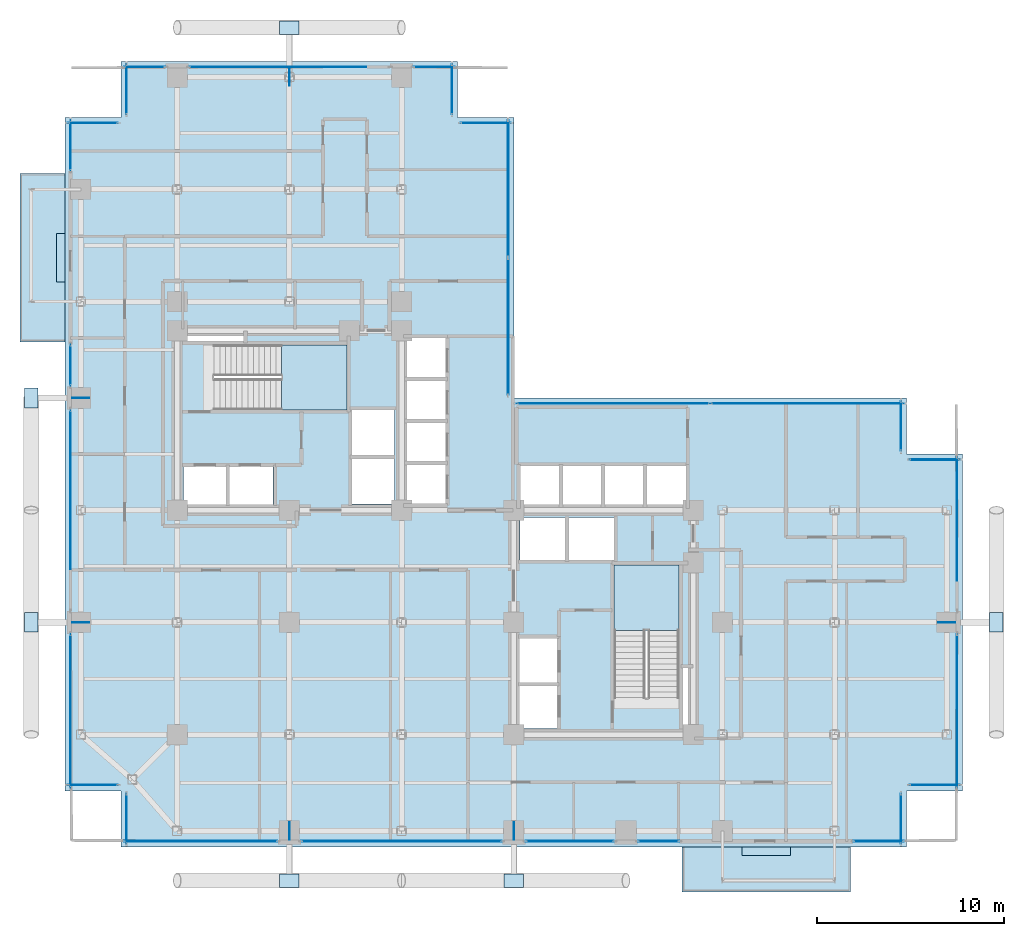
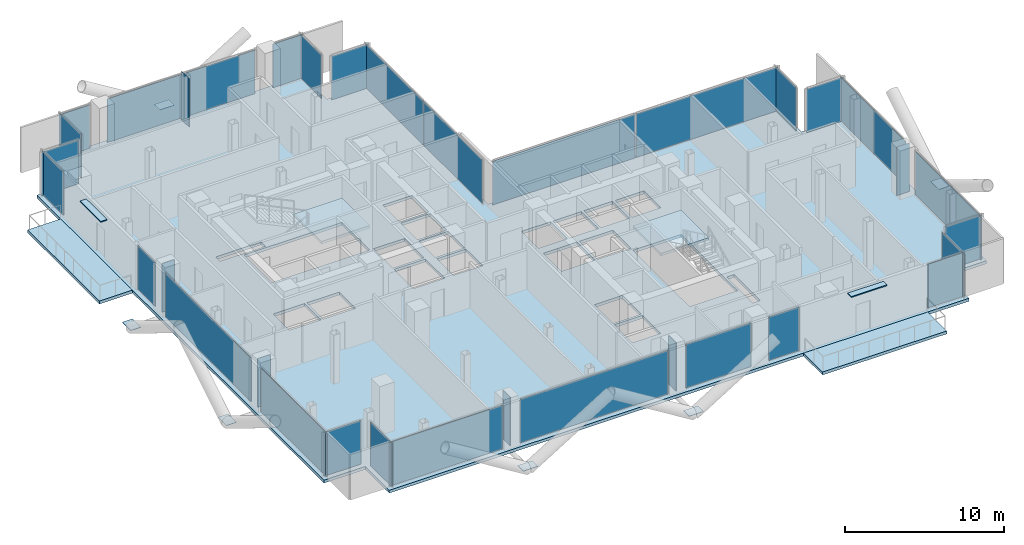
# One storey, part 18 of 28: 42 plates, 5 slabs, 28 elements without a shape of their own.
"""IFC4 building model written with IfcOpenShell, lengths in metres."""

from ifc_helpers import new_model, si_unit, direction, frame, origin, origin_2d, place, context, subcontext, project, spatial, polyline, rectangle, outline, extrude, material, layer, layer_set, type_object, element, aggregate, save


model = new_model("IFC4")

# Units and contexts
model_context = context("Model", 3, precision=1e-05, world=origin(), true_north=direction((0.0, 1.0)))
body_context = subcontext(model_context, "Body", "Model", "MODEL_VIEW")
ifc_project = project(units=[si_unit("LENGTHUNIT", "METRE"), si_unit("AREAUNIT", "SQUARE_METRE"), si_unit("VOLUMEUNIT", "CUBIC_METRE"), si_unit("PLANEANGLEUNIT", "RADIAN"), si_unit("MASSUNIT", "GRAM", prefix="KILO"), si_unit("THERMODYNAMICTEMPERATUREUNIT", "KELVIN"), si_unit("POWERUNIT", "WATT")], contexts=[model_context])

# Site, building, storey
site_placement = place(None, origin())
site = spatial("IfcSite", under=ifc_project, at=site_placement, CompositionType="ELEMENT")
building_placement = place(site_placement, origin())
building = spatial("IfcBuilding", under=site, at=building_placement, Name="Svarakhadi Broadcast Tower", CompositionType="ELEMENT")
storey_placement = place(building_placement, frame((0.0, 0.0, 107.10009765625)))
storey = spatial("IfcBuildingStorey", under=building, at=storey_placement, Name="L25", CompositionType="ELEMENT", Elevation=107.10009765625)

# Curtain wall, plate
ifc_material_1 = material(Name="Anodised Bronze Aluminium AA 6063-T6", Category="aluminium")
ifc_layer_1 = layer(ifc_material_1, 0.199951171875)
ifc_layer_set_1 = layer_set([ifc_layer_1], Name="Anodised Bronze Aluminium AA 6063-T6")
curtain_wall_type = type_object("IfcCurtainWallType", Name="CW_Sys_03", PredefinedType="NOTDEFINED", material=ifc_layer_set_1)
curtain_wall_1_placement = place(storey_placement, origin())
curtain_wall_1 = element("IfcCurtainWall", 1, at=curtain_wall_1_placement, inside=storey, type_object=curtain_wall_type, Name="L25 Unitised Facade Curtain Wall 01", PredefinedType="NOTDEFINED")
ifc_material_2 = material(Name="Double Low-E Laminated Acoustic Glass IGU 36 mm", Category="glass")
ifc_layer_2 = layer(ifc_material_2, 0.035888671875)
ifc_layer_set_2 = layer_set([ifc_layer_2], Name="Double Low-E Laminated Acoustic Glass IGU 36 mm")
plate_type_1 = type_object("IfcPlateType", Name="CW_Sys_03_Pnl", PredefinedType="CURTAIN_PANEL", material=ifc_layer_set_2)
plate_1_placement = place(storey_placement, frame((1.5, 3.300048828125, 0.06982421875), z_axis=(0.0, 0.0, 1.0), x_axis=(-1.0, 0.0, 0.0)))
plate_1 = element("IfcPlate", 2, at=plate_1_placement, type_object=plate_type_1, Name="CW-03 panel 1.1", PredefinedType="CURTAIN_PANEL", context=body_context, shape_type="SweptSolid", body=[
    extrude(rectangle(XDim=2.669921875, YDim=0.035888671875, at=origin_2d()), origin(), (0.0, 0.0, 1.0), 3.3349609375),
])
aggregate(curtain_wall_1, [plate_1])

curtain_wall_2_placement = place(storey_placement, origin())
curtain_wall_2 = element("IfcCurtainWall", 3, at=curtain_wall_2_placement, inside=storey, type_object=curtain_wall_type, Name="L25 West Curtain Wall 02 Bay 1", PredefinedType="NOTDEFINED")
plate_2_placement = place(storey_placement, frame((0.300048828125, 7.260009765625, 0.06982421875), z_axis=(0.0, 0.0, 1.0), x_axis=(0.0, 1.0, 0.0)))
plate_2 = element("IfcPlate", 4, at=plate_2_placement, type_object=plate_type_1, Name="CW-03 panel 1.1", PredefinedType="CURTAIN_PANEL", context=body_context, shape_type="SweptSolid", body=[
    extrude(rectangle(XDim=8.18994140625, YDim=0.035888671875, at=origin_2d()), origin(), (0.0, 0.0, 1.0), 3.3349609375),
])
aggregate(curtain_wall_2, [plate_2])

curtain_wall_3_placement = place(storey_placement, origin())
curtain_wall_3 = element("IfcCurtainWall", 5, at=curtain_wall_3_placement, inside=storey, type_object=curtain_wall_type, Name="L25 West Curtain Wall 02 Bay 2", PredefinedType="NOTDEFINED")
plate_3_placement = place(storey_placement, frame((0.300048828125, 18.0, 0.06982421875), z_axis=(0.0, 0.0, 1.0), x_axis=(0.0, 1.0, 0.0)))
plate_3 = element("IfcPlate", 6, at=plate_3_placement, type_object=plate_type_1, Name="CW-03 panel 1.1", PredefinedType="CURTAIN_PANEL", context=body_context, shape_type="SweptSolid", body=[
    extrude(rectangle(XDim=10.7099609375, YDim=0.035888671875, at=origin_2d()), origin(), (0.0, 0.0, 1.0), 3.3349609375),
])
aggregate(curtain_wall_3, [plate_3])

curtain_wall_4_placement = place(storey_placement, origin())
curtain_wall_4 = element("IfcCurtainWall", 7, at=curtain_wall_4_placement, inside=storey, type_object=curtain_wall_type, Name="L25 West Curtain Wall 02 Bay 3", PredefinedType="NOTDEFINED")
plate_4_placement = place(storey_placement, frame((0.300048828125, 25.739990234375, 0.06982421875), z_axis=(0.0, 0.0, 1.0), x_axis=(0.0, 1.0, 0.0)))
plate_4 = element("IfcPlate", 8, at=plate_4_placement, type_object=plate_type_1, Name="CW-03 panel 1.1", PredefinedType="CURTAIN_PANEL", context=body_context, shape_type="SweptSolid", body=[
    extrude(rectangle(XDim=2.18994140625, YDim=0.035888671875, at=origin_2d()), origin(), (0.0, 0.0, 1.0), 3.3349609375),
])
aggregate(curtain_wall_4, [plate_4])

curtain_wall_5_placement = place(storey_placement, origin())
curtain_wall_5 = element("IfcCurtainWall", 9, at=curtain_wall_5_placement, inside=storey, type_object=curtain_wall_type, Name="L25 West Curtain Wall 03", PredefinedType="NOTDEFINED")
plate_5_placement = place(storey_placement, frame((0.300048828125, 37.5, 0.06982421875), z_axis=(0.0, 0.0, 1.0), x_axis=(0.0, 1.0, 0.0)))
plate_5 = element("IfcPlate", 10, at=plate_5_placement, type_object=plate_type_1, Name="CW-03 panel 1.1", PredefinedType="CURTAIN_PANEL", context=body_context, shape_type="SweptSolid", body=[
    extrude(rectangle(XDim=2.669921875, YDim=0.035888671875, at=origin_2d()), origin(), (0.0, 0.0, 1.0), 3.3349609375),
])
aggregate(curtain_wall_5, [plate_5])

curtain_wall_6_placement = place(storey_placement, origin())
curtain_wall_6 = element("IfcCurtainWall", 11, at=curtain_wall_6_placement, inside=storey, type_object=curtain_wall_type, Name="L25 Unitised Facade Curtain Wall 04", PredefinedType="NOTDEFINED")
plate_6_placement = place(storey_placement, frame((1.5, 38.699951171875, 0.06982421875), z_axis=(0.0, 0.0, 1.0), x_axis=(1.0, 0.0, 0.0)))
plate_6 = element("IfcPlate", 12, at=plate_6_placement, type_object=plate_type_1, Name="CW-03 panel 1.1", PredefinedType="CURTAIN_PANEL", context=body_context, shape_type="SweptSolid", body=[
    extrude(rectangle(XDim=2.669921875, YDim=0.035888671875, at=origin_2d()), origin(), (0.0, 0.0, 1.0), 3.3349609375),
])
aggregate(curtain_wall_6, [plate_6])

curtain_wall_7_placement = place(storey_placement, origin())
curtain_wall_7 = element("IfcCurtainWall", 13, at=curtain_wall_7_placement, inside=storey, type_object=curtain_wall_type, Name="L25 Unitised Facade Curtain Wall 05", PredefinedType="NOTDEFINED")
plate_7_placement = place(storey_placement, frame((3.300048828125, 40.5, 0.06982421875), z_axis=(0.0, 0.0, 1.0), x_axis=(0.0, 1.0, 0.0)))
plate_7 = element("IfcPlate", 14, at=plate_7_placement, type_object=plate_type_1, Name="CW-03 panel 1.1", PredefinedType="CURTAIN_PANEL", context=body_context, shape_type="SweptSolid", body=[
    extrude(rectangle(XDim=2.669921875, YDim=0.035888671875, at=origin_2d()), origin(), (0.0, 0.0, 1.0), 3.3349609375),
])
aggregate(curtain_wall_7, [plate_7])

curtain_wall_8_placement = place(storey_placement, origin())
curtain_wall_8 = element("IfcCurtainWall", 15, at=curtain_wall_8_placement, inside=storey, type_object=curtain_wall_type, Name="L25 Unitised Facade Curtain Wall 06 Bay 1", PredefinedType="NOTDEFINED")
plate_8_placement = place(storey_placement, frame((4.260009765625, 41.699951171875, 0.06982421875), z_axis=(0.0, 0.0, 1.0), x_axis=(1.0, 0.0, 0.0)))
plate_8 = element("IfcPlate", 16, at=plate_8_placement, type_object=plate_type_1, Name="CW-03 panel 1.1", PredefinedType="CURTAIN_PANEL", context=body_context, shape_type="SweptSolid", body=[
    extrude(rectangle(XDim=2.18994140625, YDim=0.035888671875, at=origin_2d()), origin(), (0.0, 0.0, 1.0), 3.3349609375),
])
aggregate(curtain_wall_8, [plate_8])

curtain_wall_9_placement = place(storey_placement, origin())
curtain_wall_9 = element("IfcCurtainWall", 17, at=curtain_wall_9_placement, inside=storey, type_object=curtain_wall_type, Name="L25 Unitised Facade Curtain Wall 06 Bay 2", PredefinedType="NOTDEFINED")
plate_9_placement = place(storey_placement, frame((12.0, 41.699951171875, 0.06982421875), z_axis=(0.0, 0.0, 1.0), x_axis=(1.0, 0.0, 0.0)))
plate_9 = element("IfcPlate", 18, at=plate_9_placement, type_object=plate_type_1, Name="CW-03 panel 1.1", PredefinedType="CURTAIN_PANEL", context=body_context, shape_type="SweptSolid", body=[
    extrude(rectangle(XDim=10.7099609375, YDim=0.035888671875, at=origin_2d()), origin(), (0.0, 0.0, 1.0), 3.3349609375),
])
aggregate(curtain_wall_9, [plate_9])

curtain_wall_10_placement = place(storey_placement, origin())
curtain_wall_10 = element("IfcCurtainWall", 19, at=curtain_wall_10_placement, inside=storey, type_object=curtain_wall_type, Name="L25 Unitised Facade Curtain Wall 06 Bay 3", PredefinedType="NOTDEFINED")
plate_10_placement = place(storey_placement, frame((19.739990234375, 41.699951171875, 0.06982421875), z_axis=(0.0, 0.0, 1.0), x_axis=(1.0, 0.0, 0.0)))
plate_10 = element("IfcPlate", 20, at=plate_10_placement, type_object=plate_type_1, Name="CW-03 panel 1.1", PredefinedType="CURTAIN_PANEL", context=body_context, shape_type="SweptSolid", body=[
    extrude(rectangle(XDim=2.18994140625, YDim=0.035888671875, at=origin_2d()), origin(), (0.0, 0.0, 1.0), 3.3349609375),
])
aggregate(curtain_wall_10, [plate_10])

curtain_wall_11_placement = place(storey_placement, origin())
curtain_wall_11 = element("IfcCurtainWall", 21, at=curtain_wall_11_placement, inside=storey, type_object=curtain_wall_type, Name="L25 Unitised Facade Curtain Wall 07", PredefinedType="NOTDEFINED")
plate_11_placement = place(storey_placement, frame((20.699951171875, 40.5, 0.06982421875), z_axis=(0.0, 0.0, 1.0), x_axis=(0.0, -1.0, 0.0)))
plate_11 = element("IfcPlate", 22, at=plate_11_placement, type_object=plate_type_1, Name="CW-03 panel 1.1", PredefinedType="CURTAIN_PANEL", context=body_context, shape_type="SweptSolid", body=[
    extrude(rectangle(XDim=2.669921875, YDim=0.035888671875, at=origin_2d()), origin(), (0.0, 0.0, 1.0), 3.3349609375),
])
aggregate(curtain_wall_11, [plate_11])

curtain_wall_12_placement = place(storey_placement, origin())
curtain_wall_12 = element("IfcCurtainWall", 23, at=curtain_wall_12_placement, inside=storey, type_object=curtain_wall_type, Name="L25 Unitised Facade Curtain Wall 08", PredefinedType="NOTDEFINED")
plate_12_placement = place(storey_placement, frame((22.5, 38.699951171875, 0.06982421875), z_axis=(0.0, 0.0, 1.0), x_axis=(1.0, 0.0, 0.0)))
plate_12 = element("IfcPlate", 24, at=plate_12_placement, type_object=plate_type_1, Name="CW-03 panel 1.1", PredefinedType="CURTAIN_PANEL", context=body_context, shape_type="SweptSolid", body=[
    extrude(rectangle(XDim=2.669921875, YDim=0.035888671875, at=origin_2d()), origin(), (0.0, 0.0, 1.0), 3.3349609375),
])
aggregate(curtain_wall_12, [plate_12])

# Curtain wall, plates
curtain_wall_13_placement = place(storey_placement, origin())
curtain_wall_13 = element("IfcCurtainWall", 25, at=curtain_wall_13_placement, inside=storey, type_object=curtain_wall_type, Name="L25 Unitised Facade Curtain Wall 09", PredefinedType="NOTDEFINED")
plate_13_placement = place(storey_placement, frame((23.699951171875, 35.186279296875, 0.06982421875), z_axis=(0.0, 0.0, 1.0), x_axis=(0.0, -1.0, 0.0)))
plate_13 = element("IfcPlate", 26, at=plate_13_placement, type_object=plate_type_1, Name="CW-03 panel 1.1", PredefinedType="CURTAIN_PANEL", context=body_context, shape_type="SweptSolid", body=[
    extrude(rectangle(XDim=7.297607421875, YDim=0.035888671875, at=origin_2d()), origin(), (0.0, 0.0, 1.0), 3.3349609375),
])
plate_14_placement = place(storey_placement, frame((23.699951171875, 27.813720703125, 0.06982421875), z_axis=(0.0, 0.0, 1.0), x_axis=(0.0, -1.0, 0.0)))
plate_14 = element("IfcPlate", 27, at=plate_14_placement, type_object=plate_type_1, Name="CW-03 panel 2.1", PredefinedType="CURTAIN_PANEL", context=body_context, shape_type="SweptSolid", body=[
    extrude(rectangle(XDim=7.297607421875, YDim=0.035888671875, at=origin_2d()), origin(), (0.0, 0.0, 1.0), 3.3349609375),
])
aggregate(curtain_wall_13, [plate_13, plate_14])

curtain_wall_14_placement = place(storey_placement, origin())
curtain_wall_14 = element("IfcCurtainWall", 28, at=curtain_wall_14_placement, inside=storey, type_object=curtain_wall_type, Name="L25 Unitised Facade Curtain Wall 10", PredefinedType="NOTDEFINED")
plate_15_placement = place(storey_placement, frame((29.313720703125, 23.699951171875, 0.06982421875), z_axis=(0.0, 0.0, 1.0), x_axis=(1.0, 0.0, 0.0)))
plate_15 = element("IfcPlate", 29, at=plate_15_placement, type_object=plate_type_1, Name="CW-03 panel 1.1", PredefinedType="CURTAIN_PANEL", context=body_context, shape_type="SweptSolid", body=[
    extrude(rectangle(XDim=10.297607421875, YDim=0.035888671875, at=origin_2d()), origin(), (0.0, 0.0, 1.0), 3.3349609375),
])
plate_16_placement = place(storey_placement, frame((39.686279296875, 23.699951171875, 0.06982421875), z_axis=(0.0, 0.0, 1.0), x_axis=(1.0, 0.0, 0.0)))
plate_16 = element("IfcPlate", 30, at=plate_16_placement, type_object=plate_type_1, Name="CW-03 panel 2.1", PredefinedType="CURTAIN_PANEL", context=body_context, shape_type="SweptSolid", body=[
    extrude(rectangle(XDim=10.297607421875, YDim=0.035888671875, at=origin_2d()), origin(), (0.0, 0.0, 1.0), 3.3349609375),
])
aggregate(curtain_wall_14, [plate_15, plate_16])

# Curtain wall, plate
curtain_wall_15_placement = place(storey_placement, origin())
curtain_wall_15 = element("IfcCurtainWall", 31, at=curtain_wall_15_placement, inside=storey, type_object=curtain_wall_type, Name="L25 Unitised Facade Curtain Wall 11", PredefinedType="NOTDEFINED")
plate_17_placement = place(storey_placement, frame((44.699951171875, 22.5, 0.06982421875), z_axis=(0.0, 0.0, 1.0), x_axis=(0.0, -1.0, 0.0)))
plate_17 = element("IfcPlate", 32, at=plate_17_placement, type_object=plate_type_1, Name="CW-03 panel 1.1", PredefinedType="CURTAIN_PANEL", context=body_context, shape_type="SweptSolid", body=[
    extrude(rectangle(XDim=2.669921875, YDim=0.035888671875, at=origin_2d()), origin(), (0.0, 0.0, 1.0), 3.3349609375),
])
aggregate(curtain_wall_15, [plate_17])

curtain_wall_16_placement = place(storey_placement, origin())
curtain_wall_16 = element("IfcCurtainWall", 33, at=curtain_wall_16_placement, inside=storey, type_object=curtain_wall_type, Name="L25 Unitised Facade Curtain Wall 12", PredefinedType="NOTDEFINED")
plate_18_placement = place(storey_placement, frame((46.5, 20.699951171875, 0.06982421875), z_axis=(0.0, 0.0, 1.0), x_axis=(1.0, 0.0, 0.0)))
plate_18 = element("IfcPlate", 34, at=plate_18_placement, type_object=plate_type_1, Name="CW-03 panel 1.1", PredefinedType="CURTAIN_PANEL", context=body_context, shape_type="SweptSolid", body=[
    extrude(rectangle(XDim=2.669921875, YDim=0.035888671875, at=origin_2d()), origin(), (0.0, 0.0, 1.0), 3.3349609375),
])
aggregate(curtain_wall_16, [plate_18])

curtain_wall_17_placement = place(storey_placement, origin())
curtain_wall_17 = element("IfcCurtainWall", 35, at=curtain_wall_17_placement, inside=storey, type_object=curtain_wall_type, Name="L25 Unitised Facade Curtain Wall 13 Bay 1", PredefinedType="NOTDEFINED")
plate_19_placement = place(storey_placement, frame((47.699951171875, 16.739990234375, 0.06982421875), z_axis=(0.0, 0.0, 1.0), x_axis=(0.0, -1.0, 0.0)))
plate_19 = element("IfcPlate", 36, at=plate_19_placement, type_object=plate_type_1, Name="CW-03 panel 1.1", PredefinedType="CURTAIN_PANEL", context=body_context, shape_type="SweptSolid", body=[
    extrude(rectangle(XDim=8.18994140625, YDim=0.035888671875, at=origin_2d()), origin(), (0.0, 0.0, 1.0), 3.3349609375),
])
aggregate(curtain_wall_17, [plate_19])

curtain_wall_18_placement = place(storey_placement, origin())
curtain_wall_18 = element("IfcCurtainWall", 37, at=curtain_wall_18_placement, inside=storey, type_object=curtain_wall_type, Name="L25 Unitised Facade Curtain Wall 13 Bay 2", PredefinedType="NOTDEFINED")
plate_20_placement = place(storey_placement, frame((47.699951171875, 7.260009765625, 0.06982421875), z_axis=(0.0, 0.0, 1.0), x_axis=(0.0, -1.0, 0.0)))
plate_20 = element("IfcPlate", 38, at=plate_20_placement, type_object=plate_type_1, Name="CW-03 panel 1.1", PredefinedType="CURTAIN_PANEL", context=body_context, shape_type="SweptSolid", body=[
    extrude(rectangle(XDim=8.18994140625, YDim=0.035888671875, at=origin_2d()), origin(), (0.0, 0.0, 1.0), 3.3349609375),
])
aggregate(curtain_wall_18, [plate_20])

curtain_wall_19_placement = place(storey_placement, origin())
curtain_wall_19 = element("IfcCurtainWall", 39, at=curtain_wall_19_placement, inside=storey, type_object=curtain_wall_type, Name="L25 Unitised Facade Curtain Wall 14", PredefinedType="NOTDEFINED")
plate_21_placement = place(storey_placement, frame((46.5, 3.300048828125, 0.06982421875), z_axis=(0.0, 0.0, 1.0), x_axis=(-1.0, 0.0, 0.0)))
plate_21 = element("IfcPlate", 40, at=plate_21_placement, type_object=plate_type_1, Name="CW-03 panel 1.1", PredefinedType="CURTAIN_PANEL", context=body_context, shape_type="SweptSolid", body=[
    extrude(rectangle(XDim=2.669921875, YDim=0.035888671875, at=origin_2d()), origin(), (0.0, 0.0, 1.0), 3.3349609375),
])
aggregate(curtain_wall_19, [plate_21])

curtain_wall_20_placement = place(storey_placement, origin())
curtain_wall_20 = element("IfcCurtainWall", 41, at=curtain_wall_20_placement, inside=storey, type_object=curtain_wall_type, Name="L25 Unitised Facade Curtain Wall 15", PredefinedType="NOTDEFINED")
plate_22_placement = place(storey_placement, frame((44.699951171875, 1.5, 0.06982421875), z_axis=(0.0, 0.0, 1.0), x_axis=(0.0, -1.0, 0.0)))
plate_22 = element("IfcPlate", 42, at=plate_22_placement, type_object=plate_type_1, Name="CW-03 panel 1.1", PredefinedType="CURTAIN_PANEL", context=body_context, shape_type="SweptSolid", body=[
    extrude(rectangle(XDim=2.669921875, YDim=0.035888671875, at=origin_2d()), origin(), (0.0, 0.0, 1.0), 3.3349609375),
])
aggregate(curtain_wall_20, [plate_22])

curtain_wall_21_placement = place(storey_placement, origin())
curtain_wall_21 = element("IfcCurtainWall", 43, at=curtain_wall_21_placement, inside=storey, type_object=curtain_wall_type, Name="L25 South Curtain Wall 16", PredefinedType="NOTDEFINED")
plate_23_placement = place(storey_placement, frame((43.5, 0.300048828125, 0.06982421875), z_axis=(0.0, 0.0, 1.0), x_axis=(-1.0, 0.0, 0.0)))
plate_23 = element("IfcPlate", 44, at=plate_23_placement, type_object=plate_type_1, Name="CW-03 panel 1.1", PredefinedType="CURTAIN_PANEL", context=body_context, shape_type="SweptSolid", body=[
    extrude(rectangle(XDim=2.669921875, YDim=0.035888671875, at=origin_2d()), origin(), (0.0, 0.0, 1.0), 3.3349609375),
])
aggregate(curtain_wall_21, [plate_23])

curtain_wall_22_placement = place(storey_placement, origin())
curtain_wall_22 = element("IfcCurtainWall", 45, at=curtain_wall_22_placement, inside=storey, type_object=curtain_wall_type, Name="L25 South Curtain Wall 17 Bay 1", PredefinedType="NOTDEFINED")
plate_24_placement = place(storey_placement, frame((31.739990234375, 0.300048828125, 0.06982421875), z_axis=(0.0, 0.0, 1.0), x_axis=(-1.0, 0.0, 0.0)))
plate_24 = element("IfcPlate", 46, at=plate_24_placement, type_object=plate_type_1, Name="CW-03 panel 1.1", PredefinedType="CURTAIN_PANEL", context=body_context, shape_type="SweptSolid", body=[
    extrude(rectangle(XDim=2.18994140625, YDim=0.035888671875, at=origin_2d()), origin(), (0.0, 0.0, 1.0), 3.3349609375),
])
aggregate(curtain_wall_22, [plate_24])

curtain_wall_23_placement = place(storey_placement, origin())
curtain_wall_23 = element("IfcCurtainWall", 47, at=curtain_wall_23_placement, inside=storey, type_object=curtain_wall_type, Name="L25 South Curtain Wall 17 Bay 2", PredefinedType="NOTDEFINED")
plate_25_placement = place(storey_placement, frame((27.0, 0.300048828125, 0.06982421875), z_axis=(0.0, 0.0, 1.0), x_axis=(-1.0, 0.0, 0.0)))
plate_25 = element("IfcPlate", 48, at=plate_25_placement, type_object=plate_type_1, Name="CW-03 panel 1.1", PredefinedType="CURTAIN_PANEL", context=body_context, shape_type="SweptSolid", body=[
    extrude(rectangle(XDim=4.7099609375, YDim=0.035888671875, at=origin_2d()), origin(), (0.0, 0.0, 1.0), 3.3349609375),
])
aggregate(curtain_wall_23, [plate_25])

curtain_wall_24_placement = place(storey_placement, origin())
curtain_wall_24 = element("IfcCurtainWall", 49, at=curtain_wall_24_placement, inside=storey, type_object=curtain_wall_type, Name="L25 South Curtain Wall 17 Bay 3", PredefinedType="NOTDEFINED")
plate_26_placement = place(storey_placement, frame((18.0, 0.300048828125, 0.06982421875), z_axis=(0.0, 0.0, 1.0), x_axis=(-1.0, 0.0, 0.0)))
plate_26 = element("IfcPlate", 50, at=plate_26_placement, type_object=plate_type_1, Name="CW-03 panel 1.1", PredefinedType="CURTAIN_PANEL", context=body_context, shape_type="SweptSolid", body=[
    extrude(rectangle(XDim=10.7099609375, YDim=0.035888671875, at=origin_2d()), origin(), (0.0, 0.0, 1.0), 3.3349609375),
])
aggregate(curtain_wall_24, [plate_26])

curtain_wall_25_placement = place(storey_placement, origin())
curtain_wall_25 = element("IfcCurtainWall", 51, at=curtain_wall_25_placement, inside=storey, type_object=curtain_wall_type, Name="L25 South Curtain Wall 17 Bay 4", PredefinedType="NOTDEFINED")
plate_27_placement = place(storey_placement, frame((7.260009765625, 0.300048828125, 0.06982421875), z_axis=(0.0, 0.0, 1.0), x_axis=(-1.0, 0.0, 0.0)))
plate_27 = element("IfcPlate", 52, at=plate_27_placement, type_object=plate_type_1, Name="CW-03 panel 1.1", PredefinedType="CURTAIN_PANEL", context=body_context, shape_type="SweptSolid", body=[
    extrude(rectangle(XDim=8.18994140625, YDim=0.035888671875, at=origin_2d()), origin(), (0.0, 0.0, 1.0), 3.3349609375),
])
aggregate(curtain_wall_25, [plate_27])

curtain_wall_26_placement = place(storey_placement, origin())
curtain_wall_26 = element("IfcCurtainWall", 53, at=curtain_wall_26_placement, inside=storey, type_object=curtain_wall_type, Name="L25 Unitised Facade Curtain Wall 18", PredefinedType="NOTDEFINED")
plate_28_placement = place(storey_placement, frame((3.300048828125, 1.5, 0.06982421875), z_axis=(0.0, 0.0, 1.0), x_axis=(0.0, 1.0, 0.0)))
plate_28 = element("IfcPlate", 54, at=plate_28_placement, type_object=plate_type_1, Name="CW-03 panel 1.1", PredefinedType="CURTAIN_PANEL", context=body_context, shape_type="SweptSolid", body=[
    extrude(rectangle(XDim=2.669921875, YDim=0.035888671875, at=origin_2d()), origin(), (0.0, 0.0, 1.0), 3.3349609375),
])
aggregate(curtain_wall_26, [plate_28])

# Plates
ifc_material_3 = material(Name="Steel S460ML (IS 2062 E450BR)", Category="steel")
ifc_layer_3 = layer(ifc_material_3, 0.031982421875)
ifc_layer_set_3 = layer_set([ifc_layer_3], Name="Steel S460ML (IS 2062 E450BR)")
plate_type_2 = type_object("IfcPlateType", Name="Node_Gusset_N02", PredefinedType="SHEET", material=ifc_layer_set_3)
for number, where, z_axis, x_axis, name in (
    (55, (12.0, -1.800048828125, -0.22509765625), (0.0, 0.0, 1.0), (1.0, 0.0, 0.0), "L25 Exoskeleton Gusset Node Plate S01"),
    (56, (24.0, -1.800048828125, -0.22509765625), (0.0, 0.0, 1.0), (1.0, 0.0, 0.0), "L25 Exoskeleton Gusset Node Plate S02"),
    (57, (-1.800048828125, 12.0, -0.22509765625), (0.0, 0.0, 1.0), (0.0, 1.0, 0.0), "L25 Exoskeleton Gusset Node Plate W03"),
    (58, (-1.800048828125, 24.0, -0.22509765625), (0.0, 0.0, 1.0), (0.0, 1.0, 0.0), "L25 Exoskeleton Gusset Node Plate W04"),
    (59, (49.800048828125, 12.0, -0.22509765625), (0.0, 0.0, 1.0), (0.0, 1.0, 0.0), "L25 Exoskeleton Gusset Node Plate E05"),
    (60, (12.0, 43.800048828125, -0.22509765625), (0.0, 0.0, 1.0), (1.0, 0.0, 0.0), "L25 Exoskeleton Gusset Node Plate N06"),
):
    element("IfcPlate", number, at=place(storey_placement, frame(where, z_axis=z_axis, x_axis=x_axis)), inside=storey, type_object=plate_type_2, Name=name, PredefinedType="SHEET", context=body_context, shape_type="SweptSolid", body=[
        extrude(rectangle(XDim=1.050048828125, YDim=0.719970703125, at=origin_2d()), origin(), (0.0, 0.0, 1.0), 0.031982421875),
    ])
ifc_layer_4 = layer(ifc_material_3, 0.02587890625)
ifc_layer_set_4 = layer_set([ifc_layer_4], Name="Steel S460ML (IS 2062 E450BR)")
plate_type_3 = type_object("IfcPlateType", Name="Node_Gusset_N07", PredefinedType="SHEET", material=ifc_layer_set_4)
for number, where, z_axis, x_axis, name in (
    (61, (12.0, 0.85009765625, -0.5869140625), (0.0, 0.0, 1.0), (0.0, 1.0, 0.0), "L25 Brace End Connection Gusset Plate N-07-E0202"),
    (62, (24.0, 0.85009765625, -0.5869140625), (0.0, 0.0, 1.0), (0.0, 1.0, 0.0), "L25 Brace End Connection Gusset Plate N-07-E0203"),
    (63, (0.85009765625, 12.0, -0.5869140625), (0.0, 0.0, 1.0), (1.0, 0.0, 0.0), "L25 Brace End Connection Gusset Plate N-07-E0204"),
    (64, (0.85009765625, 24.0, -0.5869140625), (0.0, 0.0, 1.0), (1.0, 0.0, 0.0), "L25 Brace End Connection Gusset Plate N-07-E0205"),
    (65, (47.14990234375, 12.0, -0.5869140625), (0.0, 0.0, 1.0), (1.0, 0.0, 0.0), "L25 Brace End Connection Gusset Plate N-07-E0206"),
    (66, (12.0, 41.14990234375, -0.5869140625), (0.0, 0.0, 1.0), (0.0, 1.0, 0.0), "L25 Brace End Connection Gusset Plate N-07-E0207"),
):
    element("IfcPlate", number, at=place(storey_placement, frame(where, z_axis=z_axis, x_axis=x_axis)), inside=storey, type_object=plate_type_3, Name=name, PredefinedType="SHEET", context=body_context, shape_type="SweptSolid", body=[
        extrude(rectangle(XDim=0.919921875, YDim=0.02587890625, at=origin_2d()), origin(), (0.0, 0.0, 1.0), 4.300048828125),
    ])

# Slab
ifc_material_4 = material(Name="Concrete C40/50 (IS 456 M50)", Category="concrete")
ifc_layer_5 = layer(ifc_material_4, 0.22509765625)
ifc_layer_set_5 = layer_set([ifc_layer_5], Name="Concrete C40/50 (IS 456 M50)")
slab_type_1 = type_object("IfcSlabType", Name="Slab_Floor_225", PredefinedType="FLOOR", material=ifc_layer_set_5)
slab_1_placement = place(storey_placement, frame((0.0, 0.0, -0.22509765625)))
element("IfcSlab", 67, at=slab_1_placement, inside=storey, type_object=slab_type_1, Name="L25 Structural Floor Slab", PredefinedType="FLOOR", context=body_context, shape_type="SweptSolid", body=[
    extrude(outline(polyline([(3.0, 0.0), (45.0, 0.0), (45.0, 3.0), (48.0, 3.0), (48.0, 21.0), (45.0, 21.0), (45.0, 24.0), (24.0, 24.0), (24.0, 39.0), (21.0, 39.0), (21.0, 42.0), (3.0, 42.0), (3.0, 39.0), (0.0, 39.0), (0.0, 3.0), (3.0, 3.0), (3.0, 0.0)]), holes=[polyline([(7.97998046875, 23.360107421875), (15.080078125, 23.360107421875), (15.080078125, 26.840087890625), (7.97998046875, 26.840087890625), (7.97998046875, 23.360107421875)]), polyline([(32.840087890625, 7.97998046875), (32.840087890625, 15.080078125), (29.360107421875, 15.080078125), (29.360107421875, 7.97998046875), (32.840087890625, 7.97998046875)]), polyline([(6.340087890625, 18.2900390625), (8.610107421875, 18.2900390625), (8.610107421875, 20.330078125), (6.340087890625, 20.330078125), (6.340087890625, 18.2900390625)]), polyline([(8.7900390625, 18.2900390625), (11.1298828125, 18.2900390625), (11.1298828125, 20.330078125), (8.7900390625, 20.330078125), (8.7900390625, 18.2900390625)]), polyline([(24.2900390625, 6.340087890625), (26.330078125, 6.340087890625), (26.330078125, 8.610107421875), (24.2900390625, 8.610107421875), (24.2900390625, 6.340087890625)]), polyline([(24.2900390625, 8.7900390625), (26.330078125, 8.7900390625), (26.330078125, 11.1298828125), (24.2900390625, 11.1298828125), (24.2900390625, 8.7900390625)]), polyline([(6.340087890625, 26.989990234375), (9.610107421875, 26.989990234375), (9.610107421875, 27.530029296875), (6.340087890625, 27.530029296875), (6.340087890625, 26.989990234375)]), polyline([(32.989990234375, 6.340087890625), (33.530029296875, 6.340087890625), (33.530029296875, 9.610107421875), (32.989990234375, 9.610107421875), (32.989990234375, 6.340087890625)]), polyline([(15.340087890625, 18.340087890625), (17.610107421875, 18.340087890625), (17.610107421875, 20.760009765625), (15.340087890625, 20.760009765625), (15.340087890625, 18.340087890625)]), polyline([(15.340087890625, 20.93994140625), (17.610107421875, 20.93994140625), (17.610107421875, 23.360107421875), (15.340087890625, 23.360107421875), (15.340087890625, 20.93994140625)]), polyline([(24.340087890625, 15.340087890625), (26.760009765625, 15.340087890625), (26.760009765625, 17.610107421875), (24.340087890625, 17.610107421875), (24.340087890625, 15.340087890625)]), polyline([(26.93994140625, 15.340087890625), (29.360107421875, 15.340087890625), (29.360107421875, 17.610107421875), (26.93994140625, 17.610107421875), (26.93994140625, 15.340087890625)]), polyline([(18.239990234375, 18.340087890625), (20.360107421875, 18.340087890625), (20.360107421875, 20.429931640625), (18.239990234375, 20.429931640625), (18.239990234375, 18.340087890625)]), polyline([(18.239990234375, 20.610107421875), (20.360107421875, 20.610107421875), (20.360107421875, 22.679931640625), (18.239990234375, 22.679931640625), (18.239990234375, 20.610107421875)]), polyline([(18.239990234375, 22.860107421875), (20.360107421875, 22.860107421875), (20.360107421875, 24.929931640625), (18.239990234375, 24.929931640625), (18.239990234375, 22.860107421875)]), polyline([(18.239990234375, 25.110107421875), (20.360107421875, 25.110107421875), (20.360107421875, 27.2099609375), (18.239990234375, 27.2099609375), (18.239990234375, 25.110107421875)]), polyline([(24.340087890625, 18.239990234375), (26.429931640625, 18.239990234375), (26.429931640625, 20.360107421875), (24.340087890625, 20.360107421875), (24.340087890625, 18.239990234375)]), polyline([(26.610107421875, 18.239990234375), (28.679931640625, 18.239990234375), (28.679931640625, 20.360107421875), (26.610107421875, 20.360107421875), (26.610107421875, 18.239990234375)]), polyline([(28.860107421875, 18.239990234375), (30.929931640625, 18.239990234375), (30.929931640625, 20.360107421875), (28.860107421875, 20.360107421875), (28.860107421875, 18.239990234375)]), polyline([(31.110107421875, 18.239990234375), (33.2099609375, 18.239990234375), (33.2099609375, 20.360107421875), (31.110107421875, 20.360107421875), (31.110107421875, 18.239990234375)])]), origin(), (0.0, 0.0, 1.0), 0.22509765625),
])

# Stair, slab
stair_type = type_object("IfcStairType", Name="Stair_Exit_Core", PredefinedType="HALF_TURN_STAIR", material=ifc_material_4)
stair_1_placement = place(storey_placement, origin())
stair_1 = element("IfcStair", 68, at=stair_1_placement, inside=storey, type_object=stair_type, Name="L25 West Core Protected Exit Stair ST-01", PredefinedType="HALF_TURN_STAIR")
ifc_layer_6 = layer(ifc_material_4, 0.199951171875)
ifc_layer_set_6 = layer_set([ifc_layer_6], Name="Concrete C40/50 (IS 456 M50)")
slab_type_2 = type_object("IfcSlabType", Name="Slab_Stair_Land", PredefinedType="LANDING", material=ifc_layer_set_6)
slab_2_placement = place(storey_placement, frame((0.0, 0.0, 1.6748046875)))
slab_2 = element("IfcSlab", 69, at=slab_2_placement, type_object=slab_type_2, Name="ST-01 landing 1", PredefinedType="LANDING", context=body_context, shape_type="SweptSolid", body=[
    extrude(outline(polyline([(11.580078125, 23.360107421875), (15.080078125, 23.360107421875), (15.080078125, 26.840087890625), (11.580078125, 26.840087890625), (11.580078125, 23.360107421875)])), origin(), (0.0, 0.0, 1.0), 0.2001953125),
])
aggregate(stair_1, [slab_2])

stair_2_placement = place(storey_placement, origin())
stair_2 = element("IfcStair", 70, at=stair_2_placement, inside=storey, type_object=stair_type, Name="L25 East Core Protected Exit Stair ST-02", PredefinedType="HALF_TURN_STAIR")
slab_3_placement = place(storey_placement, frame((0.0, 0.0, 1.6748046875)))
slab_3 = element("IfcSlab", 71, at=slab_3_placement, type_object=slab_type_2, Name="ST-02 landing 1", PredefinedType="LANDING", context=body_context, shape_type="SweptSolid", body=[
    extrude(outline(polyline([(32.840087890625, 11.580078125), (32.840087890625, 15.080078125), (29.360107421875, 15.080078125), (29.360107421875, 11.580078125), (32.840087890625, 11.580078125)])), origin(), (0.0, 0.0, 1.0), 0.2001953125),
])
aggregate(stair_2, [slab_3])

# Slabs
ifc_layer_7 = layer(ifc_material_4, 0.22509765625)
ifc_layer_set_7 = layer_set([ifc_layer_7], Name="Concrete C40/50 (IS 456 M50)")
slab_type_3 = type_object("IfcSlabType", Name="Slab_TreeBalcony", PredefinedType="FLOOR", material=ifc_layer_set_7)
slab_4_placement = place(storey_placement, frame((0.0, 0.0, -0.22509765625)))
element("IfcSlab", 72, at=slab_4_placement, inside=storey, type_object=slab_type_3, Name="L25 Planted Tree Balcony Slab BAL-E", PredefinedType="FLOOR", context=body_context, shape_type="SweptSolid", body=[
    extrude(outline(polyline([(33.0, -2.39990234375), (42.0, -2.39990234375), (42.0, 0.0), (33.0, 0.0), (33.0, -2.39990234375)])), origin(), (0.0, 0.0, 1.0), 0.22509765625),
])
slab_5_placement = place(storey_placement, frame((0.0, 0.0, -0.22509765625)))
element("IfcSlab", 73, at=slab_5_placement, inside=storey, type_object=slab_type_3, Name="L25 Planted Tree Balcony Slab BAL-N", PredefinedType="FLOOR", context=body_context, shape_type="SweptSolid", body=[
    extrude(outline(polyline([(-2.39990234375, 27.0), (0.0, 27.0), (0.0, 36.0), (-2.39990234375, 36.0), (-2.39990234375, 27.0)])), origin(), (0.0, 0.0, 1.0), 0.22509765625),
])

# Plates
ifc_layer_8 = layer(ifc_material_1, 0.080078125)
ifc_layer_set_8 = layer_set([ifc_layer_8], Name="Anodised Bronze Aluminium AA 6063-T6")
plate_type_4 = type_object("IfcPlateType", Name="Sunshade_Fin_SS01", PredefinedType="USERDEFINED", material=ifc_layer_set_8)
for number, where, z_axis, x_axis, name in (
    (74, (37.5, -0.22509765625, 3.394775390625), (0.0, 0.0, 1.0), (1.0, 0.0, 0.0), "L25 South Bronze Brise-Soleil Sunshade SS-01"),
    (75, (-0.22509765625, 31.5, 3.394775390625), (0.0, 0.0, 1.0), (0.0, 1.0, 0.0), "L25 West Bronze Brise-Soleil Sunshade SS-01"),
):
    element("IfcPlate", number, at=place(storey_placement, frame(where, z_axis=z_axis, x_axis=x_axis)), inside=storey, type_object=plate_type_4, Name=name, ObjectType="SUNSHADE", PredefinedType="USERDEFINED", context=body_context, shape_type="SweptSolid", body=[
        extrude(rectangle(XDim=2.60009765625, YDim=0.449951171875, at=origin_2d()), origin(), (0.0, 0.0, 1.0), 0.080078125),
    ])

save(model, "model.ifc")
